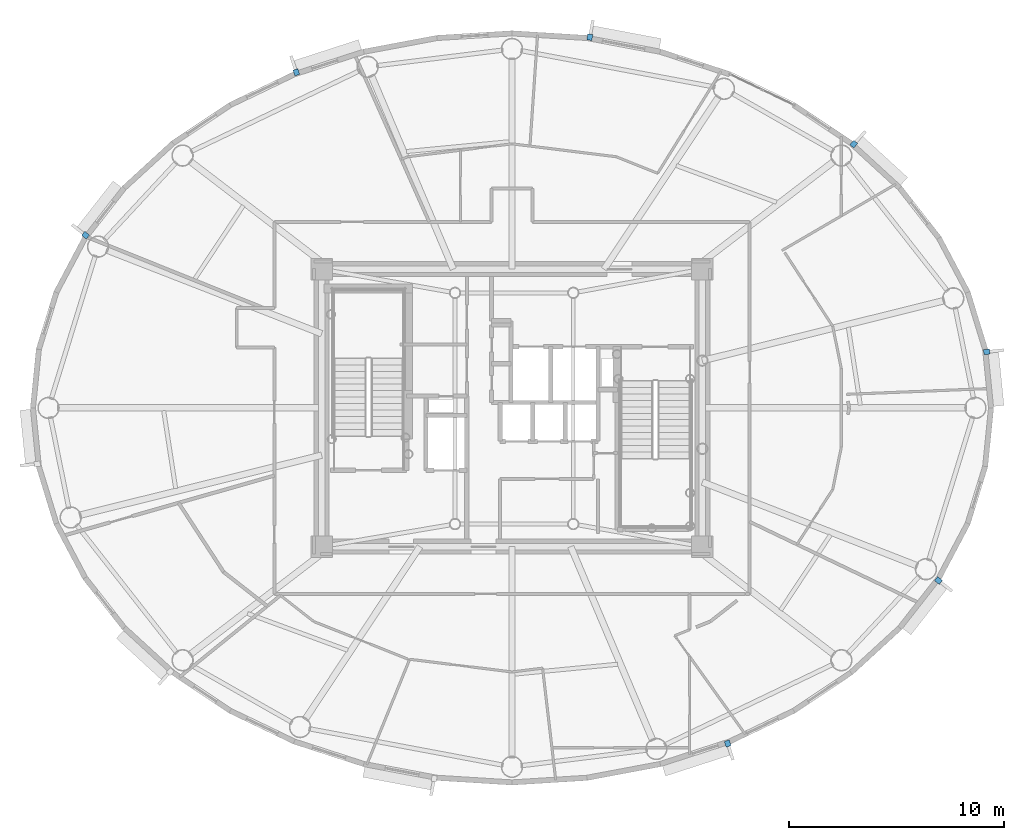
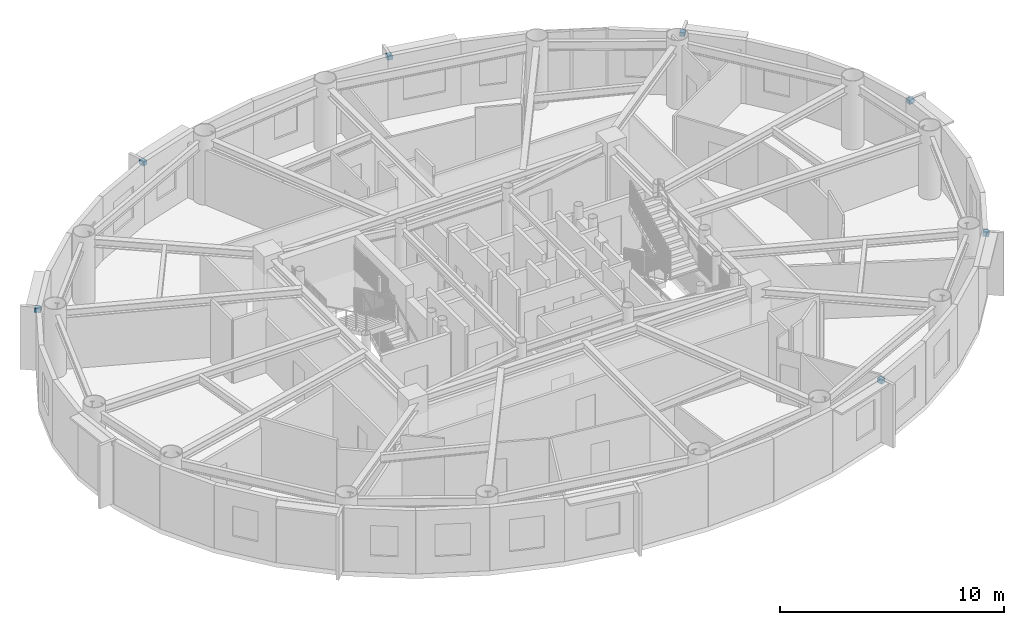
# One storey, part 11 of 17: 7 discrete accessories.
"""IFC4 building model written with IfcOpenShell, lengths in metres."""

import ifcopenshell
import ifcopenshell.guid

model = None  # the IFC model being written
_history = None  # IfcOwnerHistory: only IFC2X3 demands one
_inside = {}  # id of a spatial element -> (the spatial element, [elements in it])
_under = {}  # id of a project, library or spatial element -> (it, [spatial elements below it])
_declared = {}  # id of a project -> (the project, [libraries it declares])
_typed = {}  # id of a type object -> (the type object, [elements of that type])
_made_of = {}  # id of a material, layer set ... -> (it, [elements and type objects made of it])


def new_model(schema):
    """Start an empty IFC model of exactly this schema.

    Asked for "IFC4X3", IfcOpenShell would pick the latest addendum, in which some entities
    have other attributes; the version numbers below select the first issue.
    IFC2X3 requires an IfcOwnerHistory on every rooted entity: one is made here for all.
    """
    global model, _history
    if schema == "IFC4X3":
        model = ifcopenshell.file(schema_version=(4, 3, 0, 0))
    else:
        model = ifcopenshell.file(schema=schema)
    _inside.clear()
    _under.clear()
    _declared.clear()
    _typed.clear()
    _made_of.clear()
    _history = None
    if model.schema == "IFC2X3":
        org = make("IfcOrganization", Name="unknown")
        user = make(
            "IfcPersonAndOrganization",
            ThePerson=make("IfcPerson", FamilyName="unknown"),
            TheOrganization=org,
        )
        app = make(
            "IfcApplication",
            ApplicationDeveloper=org,
            Version="unknown",
            ApplicationFullName="unknown",
            ApplicationIdentifier="unknown",
        )
        _history = make(
            "IfcOwnerHistory",
            OwningUser=user,
            OwningApplication=app,
            ChangeAction="ADDED",
            CreationDate=0,
        )
    return model


def make(cls, **values):
    """One entity of the class cls with the attributes given. An attribute that is None is left unset."""
    return model.create_entity(
        cls, **{name: value for name, value in values.items() if value is not None}
    )


def rooted(cls, **values):
    """An entity with a GlobalId (a new one), such as an element, a storey or a relation."""
    return make(cls, GlobalId=ifcopenshell.guid.new(), OwnerHistory=_history, **values)


def si_unit(unit_type, name, prefix=None):
    """IfcSIUnit, for example si_unit("LENGTHUNIT", "METRE", prefix="MILLI")."""
    return make("IfcSIUnit", UnitType=unit_type, Prefix=prefix, Name=name)


def assignment(units):
    """IfcUnitAssignment: the units of a project."""
    return None if units is None else make("IfcUnitAssignment", Units=units)


def point(xyz):
    """IfcCartesianPoint."""
    return None if xyz is None else make("IfcCartesianPoint", Coordinates=xyz)


def direction(xyz):
    """IfcDirection."""
    return None if xyz is None else make("IfcDirection", DirectionRatios=xyz)


def frame(location, z_axis=None, x_axis=None):
    """IfcAxis2Placement3D, a coordinate frame: its origin and axes. An axis left out is left unset."""
    return make(
        "IfcAxis2Placement3D",
        Location=point(location),
        Axis=direction(z_axis),
        RefDirection=direction(x_axis),
    )


def frame_2d(location, x_axis=None):
    """IfcAxis2Placement2D, a coordinate frame in the plane: its origin and x axis."""
    return make(
        "IfcAxis2Placement2D", Location=point(location), RefDirection=direction(x_axis)
    )


def origin():
    """The frame at (0, 0, 0) with its axes left unset."""
    return frame((0.0, 0.0, 0.0))


def origin_2d():
    """The frame at (0, 0) in the plane with its x axis left unset."""
    return frame_2d((0.0, 0.0))


def place(relative_to, where):
    """IfcLocalPlacement: puts the frame where relative to a parent placement (None: the world)."""
    return make(
        "IfcLocalPlacement", PlacementRelTo=relative_to, RelativePlacement=where
    )


def context(
    kind, dimensions, precision=None, world=None, true_north=None, identifier=None
):
    """IfcGeometricRepresentationContext, for example the 3D "Model" context."""
    return make(
        "IfcGeometricRepresentationContext",
        ContextIdentifier=identifier,
        ContextType=kind,
        CoordinateSpaceDimension=dimensions,
        Precision=precision,
        WorldCoordinateSystem=world,
        TrueNorth=true_north,
    )


def subcontext(parent, identifier, kind, view, scale=None):
    """IfcGeometricRepresentationSubContext, for example "Body" below "Model"."""
    return make(
        "IfcGeometricRepresentationSubContext",
        ContextIdentifier=identifier,
        ContextType=kind,
        ParentContext=parent,
        TargetScale=scale,
        TargetView=view,
    )


def project(units=None, contexts=None):
    """IfcProject with its units and contexts."""
    return rooted(
        "IfcProject",
        Name="project",
        RepresentationContexts=contexts,
        UnitsInContext=assignment(units),
    )


def spatial(cls, under=None, at=None, **own):
    """A site, building, storey or space (cls), placed at a placement, below another one or the project."""
    s = rooted(cls, ObjectPlacement=at, **own)
    if under is not None:
        _under.setdefault(under.id(), (under, []))[1].append(s)
    return s


def profile(cls, at=None, kind="AREA", **sizes):
    """A parametric profile (cls). Its sizes go by their IFC names, for example OverallWidth=200.0."""
    return make(cls, ProfileType=kind, Position=at, **sizes)


def rectangle(**sizes):
    """IfcRectangleProfileDef."""
    return profile("IfcRectangleProfileDef", **sizes)


def extrude(swept, where, along, depth):
    """IfcExtrudedAreaSolid: the profile swept, set in the frame where, extruded along a direction by depth."""
    return make(
        "IfcExtrudedAreaSolid",
        SweptArea=swept,
        Position=where,
        ExtrudedDirection=direction(along),
        Depth=depth,
    )


def shape(context_of_items, identifier, shape_type, items):
    """IfcShapeRepresentation: the items that make up one representation, for example the "Body"."""
    return make(
        "IfcShapeRepresentation",
        ContextOfItems=context_of_items,
        RepresentationIdentifier=identifier,
        RepresentationType=shape_type,
        Items=items,
    )


def source(mapping_origin, context_of_items, identifier, shape_type, items):
    """IfcRepresentationMap: a shape defined once, which mapped items show again and again."""
    return make(
        "IfcRepresentationMap",
        MappingOrigin=mapping_origin,
        MappedRepresentation=shape(context_of_items, identifier, shape_type, items),
    )


def transform(
    local_origin,
    x_axis=None,
    y_axis=None,
    z_axis=None,
    scale=None,
    scale2=None,
    scale3=None,
    uniform=True,
):
    """IfcCartesianTransformationOperator3D, or its non-uniform kind. x_axis, y_axis, z_axis: its Axis1, 2, 3."""
    if uniform:
        return make(
            "IfcCartesianTransformationOperator3D",
            Axis1=direction(x_axis),
            Axis2=direction(y_axis),
            LocalOrigin=point(local_origin),
            Scale=scale,
            Axis3=direction(z_axis),
        )
    return make(
        "IfcCartesianTransformationOperator3DnonUniform",
        Axis1=direction(x_axis),
        Axis2=direction(y_axis),
        LocalOrigin=point(local_origin),
        Scale=scale,
        Axis3=direction(z_axis),
        Scale2=scale2,
        Scale3=scale3,
    )


def mapped(mapping_source, mapping_target):
    """IfcMappedItem: shows the shape of a source again, moved by a transform."""
    return make(
        "IfcMappedItem", MappingSource=mapping_source, MappingTarget=mapping_target
    )


def material(Name=None, Category=None):
    """IfcMaterial."""
    return make("IfcMaterial", Name=Name, Category=Category)


def made_of(thing, what):
    """Note that an element or type object is made of a material, layer set ...; save() writes the relation."""
    if what is not None:
        _made_of.setdefault(what.id(), (what, []))[1].append(thing)
    return thing


def type_object(cls, material=None, **own):
    """A type object (cls), such as IfcWallType, which elements share."""
    return made_of(rooted(cls, **own), material)


def element(
    cls,
    number,
    at=None,
    inside=None,
    cuts=None,
    type_object=None,
    material=None,
    context=None,
    identifier="Body",
    shape_type=None,
    held_by="IfcProductDefinitionShape",
    body=None,
    shapes=None,
    **own,
):
    """One element of the class cls, such as IfcWall. Its Tag is "e" and its number.

    at: its placement. inside: the storey or other place that contains it. cuts: it is an
    opening in that element (IfcRelVoidsElement). A single representation is given by context,
    identifier, shape_type and body (its items); several are given by shapes. held_by: the class
    of the entity that holds the representations. save() writes the other relations.
    """
    e = rooted(cls, Tag="e%d" % number, ObjectPlacement=at, **own)
    if body is not None:
        shapes = [shape(context, identifier, shape_type, body)]
    if shapes is not None:
        e.Representation = make(held_by, Representations=shapes)
    if inside is not None:
        _inside.setdefault(inside.id(), (inside, []))[1].append(e)
    if cuts is not None:
        rooted(
            "IfcRelVoidsElement", RelatingBuildingElement=cuts, RelatedOpeningElement=e
        )
    if type_object is not None:
        _typed.setdefault(type_object.id(), (type_object, []))[1].append(e)
    return made_of(e, material)


def aggregate(whole, parts):
    """IfcRelAggregates: a whole, such as a stair, and the parts it consists of."""
    return rooted("IfcRelAggregates", RelatingObject=whole, RelatedObjects=parts)


def save(model, path):
    """Write the relations noted so far, then the file.

    IfcRelAggregates (storeys below a building ...), IfcRelContainedInSpatialStructure (elements
    in a storey), IfcRelDefinesByType, IfcRelAssociatesMaterial and IfcRelDeclares: one each for
    every whole, place, type object, material and project.
    """
    for whole, parts in _under.values():
        aggregate(whole, parts)
    for where, things in _inside.values():
        rooted(
            "IfcRelContainedInSpatialStructure",
            RelatedElements=things,
            RelatingStructure=where,
        )
    for kind, things in _typed.values():
        rooted("IfcRelDefinesByType", RelatedObjects=things, RelatingType=kind)
    for what, things in _made_of.values():
        rooted("IfcRelAssociatesMaterial", RelatedObjects=things, RelatingMaterial=what)
    for by, libraries in _declared.values():
        rooted("IfcRelDeclares", RelatingContext=by, RelatedDefinitions=libraries)
    model.write(path)


model = new_model("IFC4")

# Units and contexts
model_context = context("Model", 3, precision=1e-05, world=origin(), true_north=direction((0.0, 1.0)))
body_context = subcontext(model_context, "Body", "Model", "MODEL_VIEW")
ifc_project = project(units=[si_unit("LENGTHUNIT", "METRE"), si_unit("AREAUNIT", "SQUARE_METRE"), si_unit("VOLUMEUNIT", "CUBIC_METRE"), si_unit("PLANEANGLEUNIT", "RADIAN"), si_unit("MASSUNIT", "GRAM", prefix="KILO")], contexts=[model_context])

# Site, building, storey
site_placement = place(None, origin())
site = spatial("IfcSite", under=ifc_project, at=site_placement, CompositionType="ELEMENT")
building_placement = place(site_placement, origin())
building = spatial("IfcBuilding", under=site, at=building_placement, Name="Linh Dai School and Residence Tower", CompositionType="ELEMENT")
storey_placement = place(building_placement, frame((0.0, 0.0, 314.25)))
storey = spatial("IfcBuildingStorey", under=building, at=storey_placement, Name="L78", CompositionType="ELEMENT", Elevation=314.25)

# Discrete accessories
ifc_material = material(Name="Structural Steel S355JR", Category="steel")
discrete_accessory_type = type_object("IfcDiscreteAccessoryType", Name="ACC-BRK-S355", PredefinedType="BRACKET", material=ifc_material)
shared_shape = source(origin(), body_context, "Body", "SweptSolid", [
    extrude(rectangle(XDim=0.280029296875, YDim=0.239990234375, at=origin_2d()), origin(), (0.0, 0.0, 1.0), 0.219970703125),
])
for number, where, z_axis, x_axis, name in (
    (1, (58.073486328125, 29.605712890625, 3.2001953125), (0.0, 0.0, 1.0), (0.994986629598, 0.100008034283, 0.0), "L78 Facade Frame Anchor Bracket 01"),
    (2, (51.89111328125, 39.267333984375, 3.2001953125), (0.0, 0.0, 1.0), (0.67577730889, 0.737105846394, 0.0), "L78 Facade Frame Anchor Bracket 05"),
    (3, (39.61767578125, 44.23681640625, 3.2001953125), (0.0, 0.0, 1.0), (0.184751197452, 0.982785325002, 0.0), "L78 Facade Frame Anchor Bracket 09"),
    (4, (25.97265625, 42.606201171875, 3.2001953125), (0.0, 0.0, 1.0), (-0.308518805176, 0.951218243545, 0.0), "L78 Facade Frame Anchor Bracket 13"),
    (5, (16.1728515625, 35.0263671875, 3.2001953125), (0.0, 0.0, 1.0), (-0.78750300393, 0.616310813471, 0.0), "L78 Facade Frame Anchor Bracket 17"),
    (6, (46.02734375, 11.393798828125, 3.2001953125), (0.0, 0.0, 1.0), (0.308518805176, -0.951218243545, 0.0), "L78 Facade Frame Anchor Bracket 33"),
    (7, (55.8271484375, 18.9736328125, 3.2001953125), (0.0, 0.0, 1.0), (0.78750300393, -0.616310813471, 0.0), "L78 Facade Frame Anchor Bracket 37"),
):
    element("IfcDiscreteAccessory", number, at=place(storey_placement, frame(where, z_axis=z_axis, x_axis=x_axis)), inside=storey, type_object=discrete_accessory_type, Name=name, PredefinedType="BRACKET", context=body_context, shape_type="MappedRepresentation", body=[
        mapped(shared_shape, transform((0.0, 0.0, 0.0), x_axis=(1.0, 0.0, 0.0), y_axis=(0.0, 1.0, 0.0), z_axis=(0.0, 0.0, 1.0), scale=1.0)),
    ])

save(model, "model.ifc")
